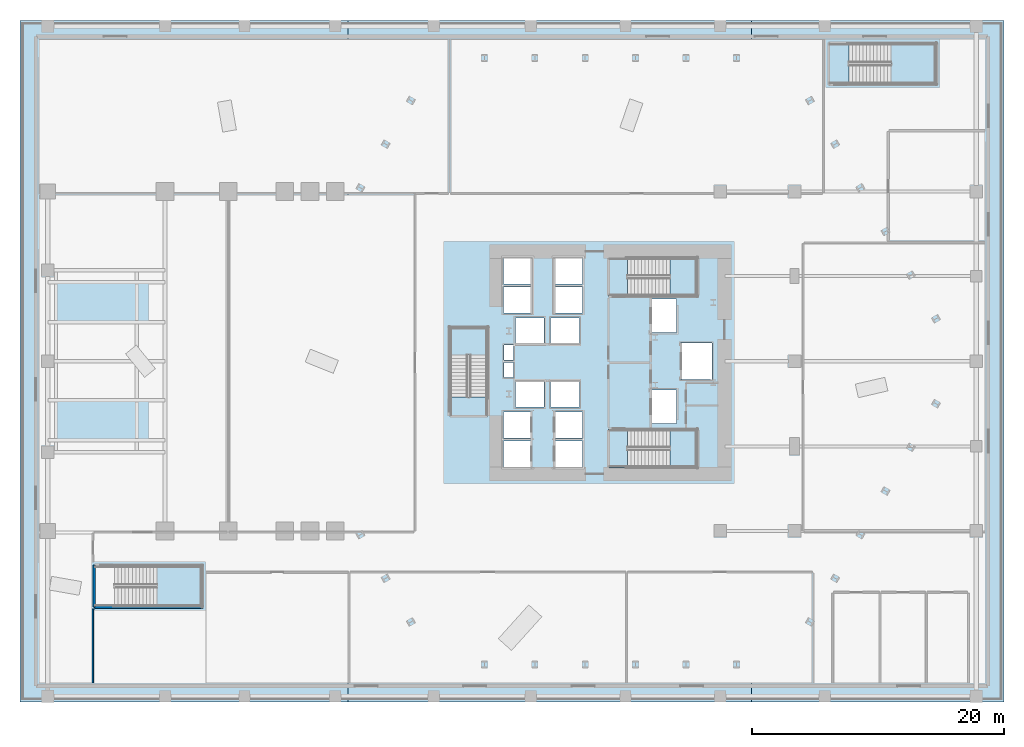
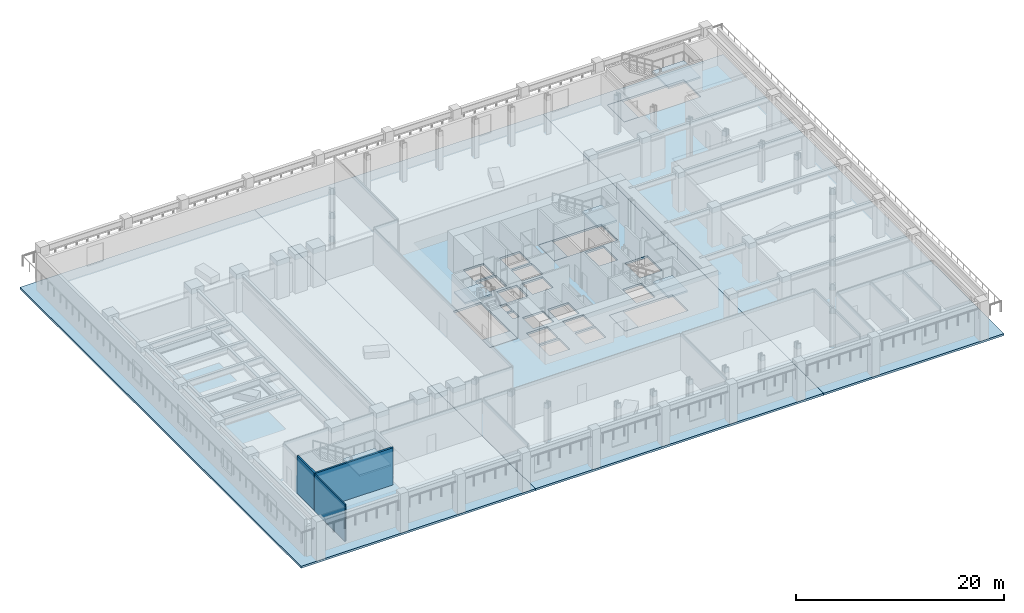
# One storey, part 2 of 18: 12 slabs, 3 walls, 5 elements without a shape of their own.
"""IFC4 building model written with IfcOpenShell, lengths in metres."""

from ifc_helpers import new_model, si_unit, direction, frame, frame_2d, origin, place, context, subcontext, project, spatial, polyline, rectangle, outline, extrude, material, layer, layer_set, type_object, element, aggregate, save


model = new_model("IFC4")

# Units and contexts
model_context = context("Model", 3, precision=1e-05, world=origin(), true_north=direction((0.0, 1.0)))
body_context = subcontext(model_context, "Body", "Model", "MODEL_VIEW")
ifc_project = project(units=[si_unit("LENGTHUNIT", "METRE"), si_unit("AREAUNIT", "SQUARE_METRE"), si_unit("VOLUMEUNIT", "CUBIC_METRE"), si_unit("PLANEANGLEUNIT", "RADIAN"), si_unit("MASSUNIT", "GRAM", prefix="KILO")], contexts=[model_context])

# Site, building, storey
site_placement = place(None, origin())
site = spatial("IfcSite", under=ifc_project, at=site_placement, CompositionType="ELEMENT")
building_placement = place(site_placement, origin())
building = spatial("IfcBuilding", under=site, at=building_placement, Name="Valkerne Bourse Tower", CompositionType="ELEMENT")
storey_placement = place(building_placement, frame((0.0, 0.0, 14.800048828125)))
storey = spatial("IfcBuildingStorey", under=building, at=storey_placement, Name="L03", CompositionType="ELEMENT", Elevation=14.800048828125)

# Slabs
ifc_material_1 = material(Name="Concrete C40/50", Category="concrete")
ifc_layer_1 = layer(ifc_material_1, 0.239990234375)
ifc_layer_set_1 = layer_set([ifc_layer_1], Name="Concrete C40/50")
slab_type_1 = type_object("IfcSlabType", Name="SLB-POD-240", PredefinedType="FLOOR", material=ifc_layer_set_1)
slab_1_placement = place(storey_placement, frame((0.0, 0.0, -0.239990234375)))
element("IfcSlab", 1, at=slab_1_placement, inside=storey, type_object=slab_type_1, Name="L03 Podium Composite Floor Slab W", PredefinedType="FLOOR", context=body_context, shape_type="SweptSolid", body=[
    extrude(outline(polyline([(0.0, 0.0), (0.0, 54.0), (26.0, 54.0), (26.0, 0.0), (0.0, 0.0)]), holes=[polyline([(14.425048828125, 7.534912109375), (14.425048828125, 10.81494140625), (5.9150390625, 10.81494140625), (5.9150390625, 7.534912109375), (14.425048828125, 7.534912109375)])]), origin(), (0.0, 0.0, 1.0), 0.239990234375),
])
slab_2_placement = place(storey_placement, frame((0.0, 0.0, -0.239990234375)))
element("IfcSlab", 2, at=slab_2_placement, inside=storey, type_object=slab_type_1, Name="L03 Podium Composite Floor Slab C", PredefinedType="FLOOR", context=body_context, shape_type="SweptSolid", body=[
    extrude(outline(polyline([(26.0, 0.0), (26.0, 54.0), (58.0, 54.0), (58.0, 0.0), (26.0, 0.0)]), holes=[polyline([(40.590087890625, 18.610107421875), (40.590087890625, 20.68994140625), (38.31005859375, 20.68994140625), (38.31005859375, 18.610107421875), (40.590087890625, 18.610107421875)]), polyline([(40.590087890625, 20.909912109375), (40.590087890625, 22.989990234375), (38.31005859375, 22.989990234375), (38.31005859375, 20.909912109375), (40.590087890625, 20.909912109375)]), polyline([(39.260009765625, 23.360107421875), (41.5400390625, 23.360107421875), (41.5400390625, 25.43994140625), (39.260009765625, 25.43994140625), (39.260009765625, 23.360107421875)]), polyline([(37.114990234375, 22.6650390625), (37.114990234375, 29.675048828125), (34.034912109375, 29.675048828125), (34.034912109375, 22.6650390625), (37.114990234375, 22.6650390625)]), polyline([(39.10009765625, 25.72998046875), (39.10009765625, 26.89990234375), (38.3798828125, 26.89990234375), (38.3798828125, 25.72998046875), (39.10009765625, 25.72998046875)]), polyline([(38.3798828125, 27.10009765625), (39.10009765625, 27.10009765625), (39.10009765625, 28.27001953125), (38.3798828125, 28.27001953125), (38.3798828125, 27.10009765625)]), polyline([(39.260009765625, 28.360107421875), (41.5400390625, 28.360107421875), (41.5400390625, 30.43994140625), (39.260009765625, 30.43994140625), (39.260009765625, 28.360107421875)]), polyline([(44.340087890625, 28.360107421875), (44.340087890625, 30.43994140625), (42.06005859375, 30.43994140625), (42.06005859375, 28.360107421875), (44.340087890625, 28.360107421875)]), polyline([(38.31005859375, 30.81005859375), (40.590087890625, 30.81005859375), (40.590087890625, 32.889892578125), (38.31005859375, 32.889892578125), (38.31005859375, 30.81005859375)]), polyline([(38.31005859375, 33.110107421875), (40.590087890625, 33.110107421875), (40.590087890625, 35.18994140625), (38.31005859375, 35.18994140625), (38.31005859375, 33.110107421875)]), polyline([(44.590087890625, 18.610107421875), (44.590087890625, 20.68994140625), (42.31005859375, 20.68994140625), (42.31005859375, 18.610107421875), (44.590087890625, 18.610107421875)]), polyline([(53.675048828125, 18.534912109375), (53.675048828125, 21.614990234375), (46.6650390625, 21.614990234375), (46.6650390625, 18.534912109375), (53.675048828125, 18.534912109375)]), polyline([(44.590087890625, 20.909912109375), (44.590087890625, 22.989990234375), (42.31005859375, 22.989990234375), (42.31005859375, 20.909912109375), (44.590087890625, 20.909912109375)]), polyline([(49.9599609375, 22.06005859375), (52.0400390625, 22.06005859375), (52.0400390625, 24.739990234375), (49.9599609375, 24.739990234375), (49.9599609375, 22.06005859375)]), polyline([(42.06005859375, 23.360107421875), (44.340087890625, 23.360107421875), (44.340087890625, 25.43994140625), (42.06005859375, 25.43994140625), (42.06005859375, 23.360107421875)]), polyline([(54.840087890625, 25.56005859375), (54.840087890625, 28.43994140625), (52.360107421875, 28.43994140625), (52.360107421875, 25.56005859375), (54.840087890625, 25.56005859375)]), polyline([(49.9599609375, 29.260009765625), (52.0400390625, 29.260009765625), (52.0400390625, 31.93994140625), (49.9599609375, 31.93994140625), (49.9599609375, 29.260009765625)]), polyline([(42.31005859375, 30.81005859375), (44.590087890625, 30.81005859375), (44.590087890625, 32.889892578125), (42.31005859375, 32.889892578125), (42.31005859375, 30.81005859375)]), polyline([(53.675048828125, 32.135009765625), (53.675048828125, 35.215087890625), (46.6650390625, 35.215087890625), (46.6650390625, 32.135009765625), (53.675048828125, 32.135009765625)]), polyline([(42.31005859375, 33.110107421875), (44.590087890625, 33.110107421875), (44.590087890625, 35.18994140625), (42.31005859375, 35.18994140625), (42.31005859375, 33.110107421875)])]), origin(), (0.0, 0.0, 1.0), 0.239990234375),
])
slab_3_placement = place(storey_placement, frame((0.0, 0.0, -0.239990234375)))
element("IfcSlab", 3, at=slab_3_placement, inside=storey, type_object=slab_type_1, Name="L03 Podium Composite Floor Slab E", PredefinedType="FLOOR", context=body_context, shape_type="SweptSolid", body=[
    extrude(outline(polyline([(58.0, 0.0), (58.0, 54.0), (78.0, 54.0), (78.0, 0.0), (58.0, 0.0)]), holes=[polyline([(64.114990234375, 48.93505859375), (72.625, 48.93505859375), (72.625, 52.215087890625), (64.114990234375, 52.215087890625), (64.114990234375, 48.93505859375)])]), origin(), (0.0, 0.0, 1.0), 0.239990234375),
])
ifc_layer_2 = layer(ifc_material_1, 0.25)
ifc_layer_set_2 = layer_set([ifc_layer_2], Name="Concrete C40/50")
slab_type_2 = type_object("IfcSlabType", Name="SLB-RMP-LND-250", PredefinedType="LANDING", material=ifc_layer_set_2)
slab_4_placement = place(storey_placement, frame((0.0, 0.0, -0.239990234375)))
element("IfcSlab", 4, at=slab_4_placement, inside=storey, type_object=slab_type_2, Name="L03 ST-1 Floor Landing Slab", PredefinedType="LANDING", context=body_context, shape_type="SweptSolid", body=[
    extrude(outline(polyline([(46.669921875, 18.5400390625), (48.14990234375, 18.5400390625), (48.14990234375, 21.610107421875), (46.669921875, 21.610107421875), (46.669921875, 18.5400390625)])), origin(), (0.0, 0.0, 1.0), 0.239990234375),
])
slab_5_placement = place(storey_placement, frame((0.0, 0.0, -0.239990234375)))
element("IfcSlab", 5, at=slab_5_placement, inside=storey, type_object=slab_type_2, Name="L03 ST-2 Floor Landing Slab", PredefinedType="LANDING", context=body_context, shape_type="SweptSolid", body=[
    extrude(outline(polyline([(46.669921875, 32.139892578125), (48.14990234375, 32.139892578125), (48.14990234375, 35.2099609375), (46.669921875, 35.2099609375), (46.669921875, 32.139892578125)])), origin(), (0.0, 0.0, 1.0), 0.239990234375),
])
slab_6_placement = place(storey_placement, frame((0.0, 0.0, -0.239990234375)))
element("IfcSlab", 6, at=slab_6_placement, inside=storey, type_object=slab_type_2, Name="L03 ST-3 Floor Landing Slab", PredefinedType="LANDING", context=body_context, shape_type="SweptSolid", body=[
    extrude(outline(polyline([(37.110107421875, 22.669921875), (37.110107421875, 24.14990234375), (34.0400390625, 24.14990234375), (34.0400390625, 22.669921875), (37.110107421875, 22.669921875)])), origin(), (0.0, 0.0, 1.0), 0.239990234375),
])
slab_7_placement = place(storey_placement, frame((0.0, 0.0, -0.239990234375)))
element("IfcSlab", 7, at=slab_7_placement, inside=storey, type_object=slab_type_2, Name="L03 ST-P2 Floor Landing Slab", PredefinedType="LANDING", context=body_context, shape_type="SweptSolid", body=[
    extrude(outline(polyline([(64.1201171875, 48.93994140625), (65.699951171875, 48.93994140625), (65.699951171875, 52.2099609375), (64.1201171875, 52.2099609375), (64.1201171875, 48.93994140625)])), origin(), (0.0, 0.0, 1.0), 0.239990234375),
])

# Stair, slab
stair_type_1 = type_object("IfcStairType", Name="ST-CORE-1400", PredefinedType="HALF_TURN_STAIR", material=ifc_material_1)
stair_1_placement = place(storey_placement, origin())
stair_1 = element("IfcStair", 8, at=stair_1_placement, inside=storey, type_object=stair_type_1, Name="L03 ST-1", PredefinedType="HALF_TURN_STAIR")
ifc_layer_3 = layer(ifc_material_1, 0.179931640625)
ifc_layer_set_3 = layer_set([ifc_layer_3], Name="Concrete C40/50")
slab_type_3 = type_object("IfcSlabType", Name="SLB-ST-LND-180", PredefinedType="LANDING", material=ifc_layer_set_3)
slab_8_placement = place(storey_placement, frame((0.0, 0.0, 2.099853515625)))
slab_8 = element("IfcSlab", 9, at=slab_8_placement, type_object=slab_type_3, Name="ST-1 landing 1", PredefinedType="LANDING", context=body_context, shape_type="SweptSolid", body=[
    extrude(outline(polyline([(51.510009765625, 18.60009765625), (53.64990234375, 18.60009765625), (53.64990234375, 21.550048828125), (51.510009765625, 21.550048828125), (51.510009765625, 18.60009765625)])), origin(), (0.0, 0.0, 1.0), 0.2001953125),
])
aggregate(stair_1, [slab_8])

stair_2_placement = place(storey_placement, origin())
stair_2 = element("IfcStair", 10, at=stair_2_placement, inside=storey, type_object=stair_type_1, Name="L03 ST-2", PredefinedType="HALF_TURN_STAIR")
slab_9_placement = place(storey_placement, frame((0.0, 0.0, 2.099853515625)))
slab_9 = element("IfcSlab", 11, at=slab_9_placement, type_object=slab_type_3, Name="ST-2 landing 1", PredefinedType="LANDING", context=body_context, shape_type="SweptSolid", body=[
    extrude(outline(polyline([(51.510009765625, 32.199951171875), (53.64990234375, 32.199951171875), (53.64990234375, 35.14990234375), (51.510009765625, 35.14990234375), (51.510009765625, 32.199951171875)])), origin(), (0.0, 0.0, 1.0), 0.2001953125),
])
aggregate(stair_2, [slab_9])

stair_3_placement = place(storey_placement, origin())
stair_3 = element("IfcStair", 12, at=stair_3_placement, inside=storey, type_object=stair_type_1, Name="L03 ST-3", PredefinedType="HALF_TURN_STAIR")
slab_10_placement = place(storey_placement, frame((0.0, 0.0, 2.099853515625)))
slab_10 = element("IfcSlab", 13, at=slab_10_placement, type_object=slab_type_3, Name="ST-3 landing 1", PredefinedType="LANDING", context=body_context, shape_type="SweptSolid", body=[
    extrude(outline(polyline([(37.050048828125, 27.510009765625), (37.050048828125, 29.64990234375), (34.10009765625, 29.64990234375), (34.10009765625, 27.510009765625), (37.050048828125, 27.510009765625)])), origin(), (0.0, 0.0, 1.0), 0.2001953125),
])
aggregate(stair_3, [slab_10])

stair_type_2 = type_object("IfcStairType", Name="ST-POD-1500", PredefinedType="HALF_TURN_STAIR", material=ifc_material_1)
stair_4_placement = place(storey_placement, origin())
stair_4 = element("IfcStair", 14, at=stair_4_placement, inside=storey, type_object=stair_type_2, Name="L03 ST-P1", PredefinedType="HALF_TURN_STAIR")
slab_11_placement = place(storey_placement, frame((0.0, 0.0, 2.099853515625)))
slab_11 = element("IfcSlab", 15, at=slab_11_placement, type_object=slab_type_3, Name="ST-P1 landing 1", PredefinedType="LANDING", context=body_context, shape_type="SweptSolid", body=[
    extrude(outline(polyline([(10.860107421875, 7.60009765625), (14.39990234375, 7.60009765625), (14.39990234375, 10.75), (10.860107421875, 10.75), (10.860107421875, 7.60009765625)])), origin(), (0.0, 0.0, 1.0), 0.2001953125),
])
aggregate(stair_4, [slab_11])

stair_5_placement = place(storey_placement, origin())
stair_5 = element("IfcStair", 16, at=stair_5_placement, inside=storey, type_object=stair_type_2, Name="L03 ST-P2", PredefinedType="HALF_TURN_STAIR")
slab_12_placement = place(storey_placement, frame((0.0, 0.0, 2.099853515625)))
slab_12 = element("IfcSlab", 17, at=slab_12_placement, type_object=slab_type_3, Name="ST-P2 landing 1", PredefinedType="LANDING", context=body_context, shape_type="SweptSolid", body=[
    extrude(outline(polyline([(69.06005859375, 49.0), (72.60009765625, 49.0), (72.60009765625, 52.14990234375), (69.06005859375, 52.14990234375), (69.06005859375, 49.0)])), origin(), (0.0, 0.0, 1.0), 0.2001953125),
])
aggregate(stair_5, [slab_12])

# Walls
ifc_material_2 = material(Name="Gypsum Board Steel-Stud Partition", Category="steel")
ifc_layer_4 = layer(ifc_material_2, 0.117919921875)
ifc_layer_set_4 = layer_set([ifc_layer_4], Name="Gypsum Board Steel-Stud Partition")
wall_type_1 = type_object("IfcWallType", Name="W-CORR-140", PredefinedType="PARTITIONING", material=ifc_layer_set_4)
wall_1_placement = place(storey_placement, frame((5.780029296875, 1.5, 0.0), z_axis=(0.0, 0.0, 1.0), x_axis=(0.0, 1.0, 0.0)))
element("IfcWall", 18, at=wall_1_placement, inside=storey, type_object=wall_type_1, Name="L03 L03 South-West Operations Office Wall", PredefinedType="PARTITIONING", context=body_context, shape_type="SweptSolid", body=[
    extrude(rectangle(XDim=5.85009765625, YDim=0.117919921875, at=frame_2d((2.925048828125, 0.0))), origin(), (0.0, 0.0, 1.0), 4.35986328125),
])
ifc_layer_5 = layer(ifc_material_1, 0.199951171875)
ifc_layer_set_5 = layer_set([ifc_layer_5], Name="Concrete C40/50")
wall_type_2 = type_object("IfcWallType", Name="W-SHF-200", PredefinedType="SHEAR", material=ifc_layer_set_5)
wall_2_placement = place(storey_placement, frame((5.89990234375, 7.5, 0.0), z_axis=(0.0, 0.0, 1.0), x_axis=(1.0, 0.0, 0.0)))
element("IfcWall", 19, at=wall_2_placement, inside=storey, type_object=wall_type_2, Name="L03 Exit Stair ST-P1 Structural South Wall", PredefinedType="SHEAR", context=body_context, shape_type="SweptSolid", body=[
    extrude(rectangle(XDim=8.60009765625, YDim=0.199951171875, at=frame_2d((4.300048828125, 0.0))), origin(), (0.0, 0.0, 1.0), 4.35986328125),
])
wall_3_placement = place(storey_placement, frame((5.89990234375, 7.5, 0.0), z_axis=(0.0, 0.0, 1.0), x_axis=(0.0, 1.0, 0.0)))
element("IfcWall", 20, at=wall_3_placement, inside=storey, type_object=wall_type_2, Name="L03 Exit Stair ST-P1 Structural West Wall", PredefinedType="SHEAR", context=body_context, shape_type="SweptSolid", body=[
    extrude(rectangle(XDim=3.35009765625, YDim=0.199951171875, at=frame_2d((1.675048828125, 0.0))), origin(), (0.0, 0.0, 1.0), 4.35986328125),
])

save(model, "model.ifc")
